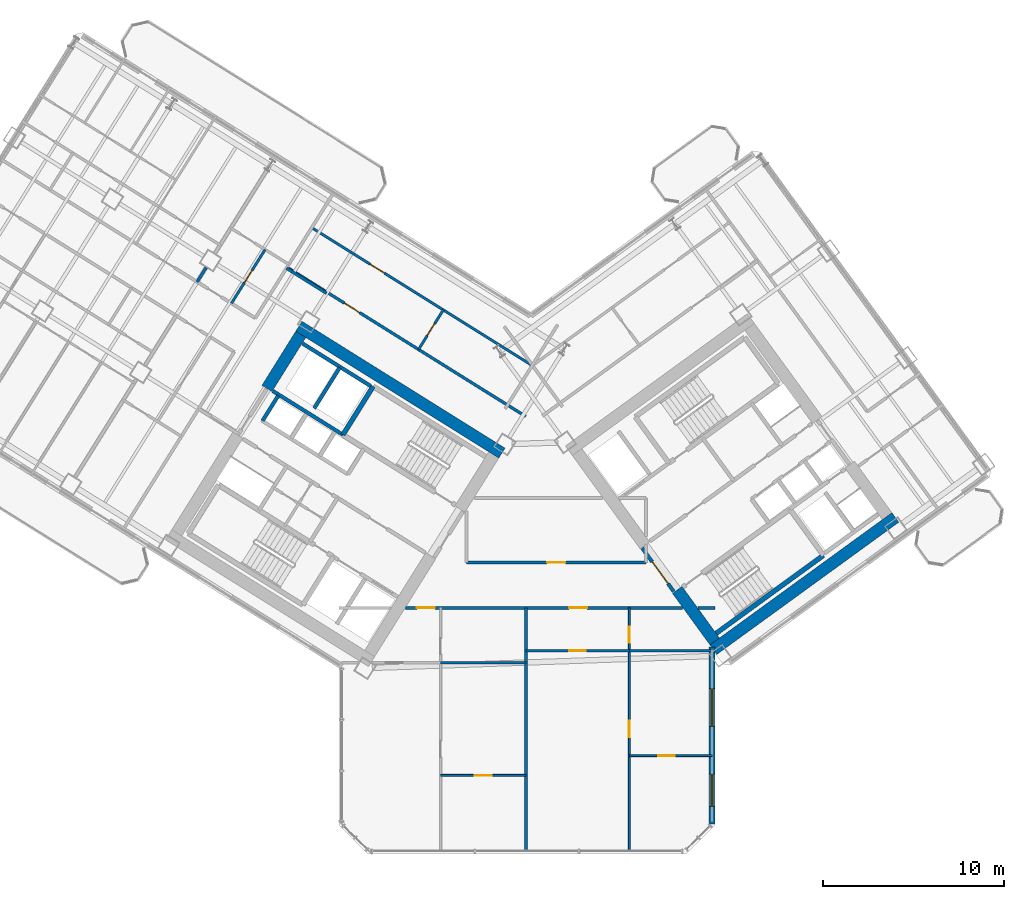
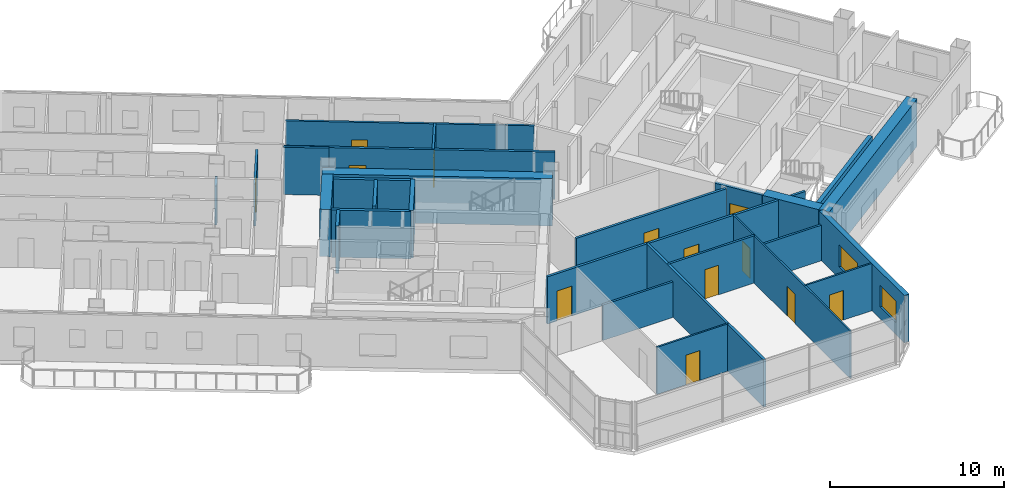
# One storey, part 13 of 22: 28 walls, 13 doors, 2 windows, 15 openings.
"""IFC4 building model written with IfcOpenShell, lengths in metres."""

from ifc_helpers import new_model, si_unit, direction, frame, frame_2d, origin, place, context, subcontext, project, spatial, rectangle, extrude, source, transform, mapped, material, layer, layer_set, type_object, element, fill, save


model = new_model("IFC4")

# Units and contexts
model_context = context("Model", 3, precision=1e-05, world=origin(), true_north=direction((0.0, 1.0)))
body_context = subcontext(model_context, "Body", "Model", "MODEL_VIEW")
ifc_project = project(units=[si_unit("LENGTHUNIT", "METRE"), si_unit("AREAUNIT", "SQUARE_METRE"), si_unit("VOLUMEUNIT", "CUBIC_METRE"), si_unit("PLANEANGLEUNIT", "RADIAN"), si_unit("MASSUNIT", "GRAM", prefix="KILO")], contexts=[model_context])

# Site, building, storey
site_placement = place(None, origin())
site = spatial("IfcSite", under=ifc_project, at=site_placement, CompositionType="ELEMENT")
building_placement = place(site_placement, origin())
building = spatial("IfcBuilding", under=site, at=building_placement, Name="Tlacorven Tower", CompositionType="ELEMENT")
storey_placement = place(building_placement, frame((0.0, 0.0, 97.199951171875)))
storey = spatial("IfcBuildingStorey", under=building, at=storey_placement, Name="L24", CompositionType="ELEMENT", Elevation=97.199951171875)

# Walls
ifc_material_1 = material(Name="Concrete C60/75", Category="concrete")
ifc_layer_1 = layer(ifc_material_1, 0.64990234375)
ifc_layer_set_1 = layer_set([ifc_layer_1], Name="Concrete C60/75")
wall_type_1 = type_object("IfcWallType", Name="WL-COR-650", PredefinedType="SHEAR", material=ifc_layer_set_1)
wall_1_placement = place(storey_placement, frame((40.615478515625, 23.9833984375, 0.0), z_axis=(0.0, 0.0, 1.0), x_axis=(-0.848045953968, 0.529922692436, 0.0)))
element("IfcWall", 1, at=wall_1_placement, inside=storey, type_object=wall_type_1, Name="L24 W core shear wall S1", PredefinedType="SHEAR", context=body_context, shape_type="SweptSolid", body=[
    extrude(rectangle(XDim=13.239990234375, YDim=0.64990234375, at=frame_2d((6.6201171875, 0.0))), origin(), (0.0, 0.0, 1.0), 3.320068359375),
])
wall_2_placement = place(storey_placement, frame((29.49072265625, 30.5517578125, 0.0), z_axis=(0.0, 0.0, 1.0), x_axis=(-0.529893103397, -0.8480644427, 0.0)))
element("IfcWall", 2, at=wall_2_placement, inside=storey, type_object=wall_type_1, Name="L24 W core end wall E2.1", PredefinedType="SHEAR", context=body_context, shape_type="SweptSolid", body=[
    extrude(rectangle(XDim=3.525146484375, YDim=0.64990234375, at=frame_2d((1.7626953125, 0.0))), origin(), (0.0, 0.0, 1.0), 3.320068359375),
])
wall_3_placement = place(storey_placement, frame((52.318359375, 13.1103515625, 0.0), z_axis=(0.0, 0.0, 1.0), x_axis=(0.809019445368, 0.587781878776, 0.0)))
element("IfcWall", 3, at=wall_3_placement, inside=storey, type_object=wall_type_1, Name="L24 E core shear wall S1", PredefinedType="SHEAR", context=body_context, shape_type="SweptSolid", body=[
    extrude(rectangle(XDim=12.43994140625, YDim=0.64990234375, at=frame_2d((6.219970703125, 0.0))), origin(), (0.0, 0.0, 1.0), 3.320068359375),
])
wall_4_placement = place(storey_placement, frame((52.390380859375, 13.564208984375, 0.0), z_axis=(0.0, 0.0, 1.0), x_axis=(-0.58779688989, 0.809008539037, 0.0)))
element("IfcWall", 4, at=wall_4_placement, inside=storey, type_object=wall_type_1, Name="L24 E core end wall E1.1", PredefinedType="SHEAR", context=body_context, shape_type="SweptSolid", body=[
    extrude(rectangle(XDim=3.525146484375, YDim=0.64990234375, at=frame_2d((1.7626953125, 0.0))), origin(), (0.0, 0.0, 1.0), 3.320068359375),
])
ifc_material_2 = material(Name="Gypsum plasterboard acoustic partition", Category="gypsum")
ifc_layer_2 = layer(ifc_material_2, 0.159912109375)
ifc_layer_set_2 = layer_set([ifc_layer_2], Name="Gypsum plasterboard acoustic partition")
wall_type_2 = type_object("IfcWallType", Name="WL-DEM-160", PredefinedType="PARTITIONING", material=ifc_layer_set_2)
wall_5_placement = place(storey_placement, frame((30.91357421875, 32.82861328125, 0.0), z_axis=(0.0, 0.0, 1.0), x_axis=(-0.848008813643, 0.529982124211, 0.0)))
element("IfcWall", 5, at=wall_5_placement, inside=storey, type_object=wall_type_2, Name="L24 partition 49", PredefinedType="PARTITIONING", context=body_context, shape_type="SweptSolid", body=[
    extrude(rectangle(XDim=2.610107421875, YDim=0.159912109375, at=frame_2d((1.30517578125, 0.0))), origin(), (0.0, 0.0, 1.0), 3.31005859375),
])
wall_6_placement = place(storey_placement, frame((24.255615234375, 34.2509765625, 0.0), z_axis=(0.0, 0.0, 1.0), x_axis=(-0.529952145338, -0.848027548876, 0.0)))
element("IfcWall", 6, at=wall_6_placement, inside=storey, type_object=wall_type_2, Name="L24 WS Demising Wall 1", PredefinedType="PARTITIONING", context=body_context, shape_type="SweptSolid", body=[
    extrude(rectangle(XDim=0.93798828125, YDim=0.159912109375, at=frame_2d((0.468994140625, 0.0))), origin(), (0.0, 0.0, 1.0), 2.7451171875),
])

# Wall, opening, door
wall_7_placement = place(storey_placement, frame((41.93603515625, 26.011962890625, 0.0), z_axis=(0.0, 0.0, 1.0), x_axis=(-0.848051154596, 0.529914369676, 0.0)))
wall_7 = element("IfcWall", 7, at=wall_7_placement, inside=storey, type_object=wall_type_2, Name="L24 partition 79", PredefinedType="PARTITIONING", context=body_context, shape_type="SweptSolid", body=[
    extrude(rectangle(XDim=15.56982421875, YDim=0.159912109375, at=frame_2d((7.784912109375, 0.0))), origin(), (0.0, 0.0, 1.0), 3.31005859375),
])
opening_1_placement = place(wall_7_placement, frame((10.830078125, 0.0, 0.0)))
opening_1 = element("IfcOpeningElement", 8, at=opening_1_placement, cuts=wall_7, Name="Opening D11", PredefinedType="OPENING", context=body_context, shape_type="SweptSolid", body=[
    extrude(rectangle(XDim=1.0, YDim=2.10009765625, at=frame_2d((0.5, 1.050048828125))), frame((0.0, 0.08984375, 0.0), z_axis=(0.0, -1.0, 0.0), x_axis=(1.0, 0.0, 0.0)), (0.0, 0.0, 1.0), 0.179931640625),
])
ifc_material_3 = material(Name="Fire-rated steel door assembly", Category="steel")
door_type_1 = type_object("IfcDoorType", Name="DR-FLT-FD60-1000", OperationType="NOTDEFINED", PredefinedType="DOOR", material=ifc_material_3)
shared_shape_1 = source(origin(), body_context, "Body", "SweptSolid", [
    extrude(rectangle(XDim=1.0, YDim=2.10009765625, at=frame_2d((0.5, 1.050048828125))), frame((0.0, 0.02490234375, 0.0), z_axis=(0.0, -1.0, 0.0), x_axis=(1.0, 0.0, 0.0)), (0.0, 0.0, 1.0), 0.050048828125),
])
door_1_placement = place(opening_1_placement, origin())
door_1 = element("IfcDoor", 9, at=door_1_placement, inside=storey, type_object=door_type_1, Name="L24 door 048", OperationType="SINGLE_SWING_RIGHT", OverallHeight=2.10009765625, OverallWidth=1.0, PredefinedType="DOOR", context=body_context, shape_type="MappedRepresentation", body=[
    mapped(shared_shape_1, transform((0.0, 0.0, 0.0), scale=1.0)),
])
fill(opening_1, door_1)

# Wall, openings, doors
wall_8_placement = place(storey_placement, frame((35.29638671875, 15.419921875, 0.0), z_axis=(0.0, 0.0, 1.0), x_axis=(1.0, 0.0, 0.0)))
wall_8 = element("IfcWall", 10, at=wall_8_placement, inside=storey, type_object=wall_type_2, Name="L24 Knuckle Corridor South Wall", PredefinedType="PARTITIONING", context=body_context, shape_type="SweptSolid", body=[
    extrude(rectangle(XDim=15.310546875, YDim=0.159912109375, at=frame_2d((7.6552734375, 0.0))), origin(), (0.0, 0.0, 1.0), 3.31005859375),
])
opening_2_placement = place(wall_8_placement, frame((0.61474609375, 0.0, 0.0)))
opening_2 = element("IfcOpeningElement", 11, at=opening_2_placement, cuts=wall_8, Name="Opening D11", PredefinedType="OPENING", context=body_context, shape_type="SweptSolid", body=[
    extrude(rectangle(XDim=1.0, YDim=2.10009765625, at=frame_2d((0.5, 1.050048828125))), frame((0.0, 0.08984375, 0.0), z_axis=(0.0, -1.0, 0.0), x_axis=(1.0, 0.0, 0.0)), (0.0, 0.0, 1.0), 0.179931640625),
])
opening_3_placement = place(wall_8_placement, frame((9.03515625, 0.0, 0.0)))
opening_3 = element("IfcOpeningElement", 12, at=opening_3_placement, cuts=wall_8, Name="Opening D11", PredefinedType="OPENING", context=body_context, shape_type="SweptSolid", body=[
    extrude(rectangle(XDim=1.0, YDim=2.10009765625, at=frame_2d((0.5, 1.050048828125))), frame((0.0, 0.08984375, 0.0), z_axis=(0.0, -1.0, 0.0), x_axis=(1.0, 0.0, 0.0)), (0.0, 0.0, 1.0), 0.179931640625),
])
door_2_placement = place(opening_2_placement, frame((1.0, 0.0, 0.0), z_axis=(0.0, 0.0, 1.0), x_axis=(-1.0, 0.0, 0.0)))
door_2 = element("IfcDoor", 13, at=door_2_placement, inside=storey, type_object=door_type_1, Name="L24 door 056", OperationType="SINGLE_SWING_RIGHT", OverallHeight=2.10009765625, OverallWidth=1.0, PredefinedType="DOOR", context=body_context, shape_type="MappedRepresentation", body=[
    mapped(shared_shape_1, transform((0.0, 0.0, 0.0), scale=1.0)),
])
fill(opening_2, door_2)
door_3_placement = place(opening_3_placement, frame((1.0, 0.0, 0.0), z_axis=(0.0, 0.0, 1.0), x_axis=(-1.0, 0.0, 0.0)))
door_3 = element("IfcDoor", 14, at=door_3_placement, inside=storey, type_object=door_type_1, Name="L24 door 061", OperationType="SINGLE_SWING_LEFT", OverallHeight=2.10009765625, OverallWidth=1.0, PredefinedType="DOOR", context=body_context, shape_type="MappedRepresentation", body=[
    mapped(shared_shape_1, transform((0.0, 0.0, 0.0), scale=1.0)),
])
fill(opening_3, door_3)

# Wall
wall_9_placement = place(storey_placement, frame((51.477294921875, 15.419921875, 0.0), z_axis=(0.0, 0.0, 1.0), x_axis=(1.0, 0.0, 0.0)))
element("IfcWall", 15, at=wall_9_placement, inside=storey, type_object=wall_type_2, Name="L24 Knuckle Corridor South Wall", PredefinedType="PARTITIONING", context=body_context, shape_type="SweptSolid", body=[
    extrude(rectangle(XDim=0.922607421875, YDim=0.159912109375, at=frame_2d((0.46142578125, 0.0))), origin(), (0.0, 0.0, 1.0), 3.31005859375),
])

# Wall, opening, door
wall_10_placement = place(storey_placement, frame((38.64990234375, 17.929931640625, 0.0), z_axis=(0.0, 0.0, 1.0), x_axis=(1.0, 0.0, 0.0)))
wall_10 = element("IfcWall", 16, at=wall_10_placement, inside=storey, type_object=wall_type_2, Name="L24 partition 85", PredefinedType="PARTITIONING", context=body_context, shape_type="SweptSolid", body=[
    extrude(rectangle(XDim=9.9501953125, YDim=0.159912109375, at=frame_2d((4.97509765625, 0.0))), origin(), (0.0, 0.0, 1.0), 3.31005859375),
])
opening_4_placement = place(wall_10_placement, frame((4.47509765625, 0.0, 0.0)))
opening_4 = element("IfcOpeningElement", 17, at=opening_4_placement, cuts=wall_10, Name="Opening D11", PredefinedType="OPENING", context=body_context, shape_type="SweptSolid", body=[
    extrude(rectangle(XDim=1.0, YDim=2.10009765625, at=frame_2d((0.5, 1.050048828125))), frame((0.0, 0.08984375, 0.0), z_axis=(0.0, -1.0, 0.0), x_axis=(1.0, 0.0, 0.0)), (0.0, 0.0, 1.0), 0.179931640625),
])
door_4_placement = place(opening_4_placement, origin())
door_4 = element("IfcDoor", 18, at=door_4_placement, inside=storey, type_object=door_type_1, Name="L24 door 051", OperationType="SINGLE_SWING_LEFT", OverallHeight=2.10009765625, OverallWidth=1.0, PredefinedType="DOOR", context=body_context, shape_type="MappedRepresentation", body=[
    mapped(shared_shape_1, transform((0.0, 0.0, 0.0), scale=1.0)),
])
fill(opening_4, door_4)

# Wall
wall_11_placement = place(storey_placement, frame((41.949951171875, 1.9599609375, 0.0), z_axis=(0.0, 0.0, 1.0), x_axis=(0.0, 1.0, 0.0)))
element("IfcWall", 19, at=wall_11_placement, inside=storey, type_object=wall_type_2, Name="L24 Knuckle Demising Wall 1", PredefinedType="PARTITIONING", context=body_context, shape_type="SweptSolid", body=[
    extrude(rectangle(XDim=13.4599609375, YDim=0.159912109375, at=frame_2d((6.72998046875, 0.0))), origin(), (0.0, 0.0, 1.0), 3.31005859375),
])

# Wall, openings, windows
ifc_material_4 = material(Name="Precast concrete C45/55", Category="concrete")
ifc_layer_3 = layer(ifc_material_4, 0.320068359375)
ifc_layer_set_3 = layer_set([ifc_layer_3], Name="Precast concrete C45/55")
wall_type_3 = type_object("IfcWallType", Name="WL-EXT-320", PredefinedType="STANDARD", material=ifc_layer_set_3)
wall_12_placement = place(storey_placement, frame((52.239990234375, 13.260986328125, 0.0), z_axis=(0.0, 0.0, 1.0), x_axis=(0.0, -1.0, 0.0)))
wall_12 = element("IfcWall", 20, at=wall_12_placement, inside=storey, type_object=wall_type_3, Name="L24 Masonry-Frame Recessed Facade Wall 7", PredefinedType="STANDARD", context=body_context, shape_type="SweptSolid", body=[
    extrude(rectangle(XDim=9.794677734375, YDim=0.320068359375, at=frame_2d((4.8974609375, 0.0))), origin(), (0.0, 0.0, 1.0), 3.320068359375),
])
opening_5_placement = place(wall_12_placement, frame((2.306884765625, 0.0, 0.800048828125)))
opening_5 = element("IfcOpeningElement", 21, at=opening_5_placement, cuts=wall_12, Name="Opening WN04", PredefinedType="OPENING", context=body_context, shape_type="SweptSolid", body=[
    extrude(rectangle(XDim=2.10009765625, YDim=1.550048828125, at=frame_2d((1.050048828125, 0.77490234375))), frame((0.0, 0.169921875, 0.0), z_axis=(0.0, -1.0, 0.0), x_axis=(1.0, 0.0, 0.0)), (0.0, 0.0, 1.0), 0.340087890625),
])
opening_6_placement = place(wall_12_placement, frame((7.0302734375, 0.0, 0.85009765625)))
opening_6 = element("IfcOpeningElement", 22, at=opening_6_placement, cuts=wall_12, Name="Opening WN01", PredefinedType="OPENING", context=body_context, shape_type="SweptSolid", body=[
    extrude(rectangle(XDim=1.800048828125, YDim=1.5, at=frame_2d((0.89990234375, 0.75))), frame((0.0, 0.169921875, 0.0), z_axis=(0.0, -1.0, 0.0), x_axis=(1.0, 0.0, 0.0)), (0.0, 0.0, 1.0), 0.340087890625),
])
ifc_material_5 = material(Name="Dark solar low-E double glazing in anodised aluminium frame", Category="aluminium")
window_type_1 = type_object("IfcWindowType", Name="WN-APT-2100X1750", PartitioningType="SINGLE_PANEL", PredefinedType="WINDOW", material=ifc_material_5)
shared_shape_2 = source(origin(), body_context, "Body", "SweptSolid", [
    extrude(rectangle(XDim=2.10009765625, YDim=1.550048828125, at=frame_2d((1.050048828125, 0.77490234375))), frame((0.0, 0.030029296875, 0.0), z_axis=(0.0, -1.0, 0.0), x_axis=(1.0, 0.0, 0.0)), (0.0, 0.0, 1.0), 0.06005859375),
])
window_1_placement = place(opening_5_placement, origin())
window_1 = element("IfcWindow", 23, at=window_1_placement, inside=storey, type_object=window_type_1, Name="L24 Recessed Masonry-Frame Window L24-07.1", OverallHeight=1.550048828125, OverallWidth=2.10009765625, PartitioningType="SINGLE_PANEL", PredefinedType="WINDOW", context=body_context, shape_type="MappedRepresentation", body=[
    mapped(shared_shape_2, transform((0.0, 0.0, 0.0), scale=1.0)),
])
fill(opening_5, window_1)
window_type_2 = type_object("IfcWindowType", Name="WN-APT-1800X1650", PartitioningType="SINGLE_PANEL", PredefinedType="WINDOW", material=ifc_material_5)
shared_shape_3 = source(origin(), body_context, "Body", "SweptSolid", [
    extrude(rectangle(XDim=1.800048828125, YDim=1.5, at=frame_2d((0.89990234375, 0.75))), frame((0.0, 0.030029296875, 0.0), z_axis=(0.0, -1.0, 0.0), x_axis=(1.0, 0.0, 0.0)), (0.0, 0.0, 1.0), 0.06005859375),
])
window_2_placement = place(opening_6_placement, origin())
window_2 = element("IfcWindow", 24, at=window_2_placement, inside=storey, type_object=window_type_2, Name="L24 Recessed Masonry-Frame Window L24-07.2", OverallHeight=1.5, OverallWidth=1.800048828125, PartitioningType="SINGLE_PANEL", PredefinedType="WINDOW", context=body_context, shape_type="MappedRepresentation", body=[
    mapped(shared_shape_3, transform((0.0, 0.0, 0.0), scale=1.0)),
])
fill(opening_6, window_2)

# Wall, opening, door
ifc_material_6 = material(Name="Gypsum plasterboard partition", Category="gypsum")
ifc_layer_4 = layer(ifc_material_6, 0.110107421875)
ifc_layer_set_4 = layer_set([ifc_layer_4], Name="Gypsum plasterboard partition")
wall_type_4 = type_object("IfcWallType", Name="WL-INT-110", PredefinedType="PARTITIONING", material=ifc_layer_set_4)
wall_13_placement = place(storey_placement, frame((37.221923828125, 6.14990234375, 0.0), z_axis=(0.0, 0.0, 1.0), x_axis=(1.0, 0.0, 0.0)))
wall_13 = element("IfcWall", 25, at=wall_13_placement, inside=storey, type_object=wall_type_4, Name="L24 partition 94", PredefinedType="PARTITIONING", context=body_context, shape_type="SweptSolid", body=[
    extrude(rectangle(XDim=4.72802734375, YDim=0.110107421875, at=frame_2d((2.364013671875, 0.0))), origin(), (0.0, 0.0, 1.0), 3.31005859375),
])
opening_7_placement = place(wall_13_placement, frame((1.904052734375, 0.0, 0.0)))
opening_7 = element("IfcOpeningElement", 26, at=opening_7_placement, cuts=wall_13, Name="Opening D12", PredefinedType="OPENING", context=body_context, shape_type="SweptSolid", body=[
    extrude(rectangle(XDim=0.919921875, YDim=2.080078125, at=frame_2d((0.4599609375, 1.0400390625))), frame((0.0, 0.06494140625, 0.0), z_axis=(0.0, -1.0, 0.0), x_axis=(1.0, 0.0, 0.0)), (0.0, 0.0, 1.0), 0.130126953125),
])
ifc_material_7 = material(Name="Powder-coated aluminium and timber door", Category="wood")
door_type_2 = type_object("IfcDoorType", Name="DR-INT-ROOM-0920", OperationType="NOTDEFINED", PredefinedType="DOOR", material=ifc_material_7)
shared_shape_4 = source(origin(), body_context, "Body", "SweptSolid", [
    extrude(rectangle(XDim=0.919921875, YDim=2.080078125, at=frame_2d((0.4599609375, 1.0400390625))), frame((0.0, 0.02490234375, 0.0), z_axis=(0.0, -1.0, 0.0), x_axis=(1.0, 0.0, 0.0)), (0.0, 0.0, 1.0), 0.050048828125),
])
door_5_placement = place(opening_7_placement, origin())
door_5 = element("IfcDoor", 27, at=door_5_placement, inside=storey, type_object=door_type_2, Name="L24 door 055", OperationType="SINGLE_SWING_LEFT", OverallHeight=2.080078125, OverallWidth=0.919921875, PredefinedType="DOOR", context=body_context, shape_type="MappedRepresentation", body=[
    mapped(shared_shape_4, transform((0.0, 0.0, 0.0), scale=1.0)),
])
fill(opening_7, door_5)

# Wall, openings, doors
wall_14_placement = place(storey_placement, frame((47.6630859375, 1.9599609375, 0.0), z_axis=(0.0, 0.0, 1.0), x_axis=(0.0, 1.0, 0.0)))
wall_14 = element("IfcWall", 28, at=wall_14_placement, inside=storey, type_object=wall_type_4, Name="L24 partition 95", PredefinedType="PARTITIONING", context=body_context, shape_type="SweptSolid", body=[
    extrude(rectangle(XDim=13.4599609375, YDim=0.110107421875, at=frame_2d((6.72998046875, 0.0))), origin(), (0.0, 0.0, 1.0), 3.31005859375),
])
opening_8_placement = place(wall_14_placement, frame((6.300048828125, 0.0, 0.0)))
opening_8 = element("IfcOpeningElement", 29, at=opening_8_placement, cuts=wall_14, Name="Opening D12", PredefinedType="OPENING", context=body_context, shape_type="SweptSolid", body=[
    extrude(rectangle(XDim=0.919921875, YDim=2.080078125, at=frame_2d((0.4599609375, 1.0400390625))), frame((0.0, 0.06494140625, 0.0), z_axis=(0.0, -1.0, 0.0), x_axis=(1.0, 0.0, 0.0)), (0.0, 0.0, 1.0), 0.130126953125),
])
opening_9_placement = place(wall_14_placement, frame((11.5400390625, 0.0, 0.0)))
opening_9 = element("IfcOpeningElement", 30, at=opening_9_placement, cuts=wall_14, Name="Opening D13", PredefinedType="OPENING", context=body_context, shape_type="SweptSolid", body=[
    extrude(rectangle(XDim=0.8798828125, YDim=2.080078125, at=frame_2d((0.43994140625, 1.0400390625))), frame((0.0, 0.06494140625, 0.0), z_axis=(0.0, -1.0, 0.0), x_axis=(1.0, 0.0, 0.0)), (0.0, 0.0, 1.0), 0.130126953125),
])
door_type_3 = type_object("IfcDoorType", Name="DR-INT-WET-0880", OperationType="NOTDEFINED", PredefinedType="DOOR", material=ifc_material_7)
shared_shape_5 = source(origin(), body_context, "Body", "SweptSolid", [
    extrude(rectangle(XDim=0.8798828125, YDim=2.080078125, at=frame_2d((0.43994140625, 1.0400390625))), frame((0.0, 0.02490234375, 0.0), z_axis=(0.0, -1.0, 0.0), x_axis=(1.0, 0.0, 0.0)), (0.0, 0.0, 1.0), 0.050048828125),
])
door_6_placement = place(opening_9_placement, origin())
door_6 = element("IfcDoor", 31, at=door_6_placement, inside=storey, type_object=door_type_3, Name="L24 door 063", OperationType="SINGLE_SWING_LEFT", OverallHeight=2.080078125, OverallWidth=0.8798828125, PredefinedType="DOOR", context=body_context, shape_type="MappedRepresentation", body=[
    mapped(shared_shape_5, transform((0.0, 0.0, 0.0), scale=1.0)),
])
fill(opening_9, door_6)
door_7_placement = place(opening_8_placement, origin())
door_7 = element("IfcDoor", 32, at=door_7_placement, inside=storey, type_object=door_type_2, Name="L24 door 059", OperationType="SINGLE_SWING_LEFT", OverallHeight=2.080078125, OverallWidth=0.919921875, PredefinedType="DOOR", context=body_context, shape_type="MappedRepresentation", body=[
    mapped(shared_shape_4, transform((0.0, 0.0, 0.0), scale=1.0)),
])
fill(opening_8, door_7)

# Wall, opening, door
wall_15_placement = place(storey_placement, frame((47.6630859375, 7.25, 0.0), z_axis=(0.0, 0.0, 1.0), x_axis=(1.0, 0.0, 0.0)))
wall_15 = element("IfcWall", 33, at=wall_15_placement, inside=storey, type_object=wall_type_4, Name="L24 partition 98", PredefinedType="PARTITIONING", context=body_context, shape_type="SweptSolid", body=[
    extrude(rectangle(XDim=4.596923828125, YDim=0.110107421875, at=frame_2d((2.29833984375, 0.0))), origin(), (0.0, 0.0, 1.0), 3.31005859375),
])
opening_10_placement = place(wall_15_placement, frame((1.6083984375, 0.0, 0.0)))
opening_10 = element("IfcOpeningElement", 34, at=opening_10_placement, cuts=wall_15, Name="Opening D12", PredefinedType="OPENING", context=body_context, shape_type="SweptSolid", body=[
    extrude(rectangle(XDim=0.919921875, YDim=2.080078125, at=frame_2d((0.4599609375, 1.0400390625))), frame((0.0, 0.06494140625, 0.0), z_axis=(0.0, -1.0, 0.0), x_axis=(1.0, 0.0, 0.0)), (0.0, 0.0, 1.0), 0.130126953125),
])
door_8_placement = place(opening_10_placement, origin())
door_8 = element("IfcDoor", 35, at=door_8_placement, inside=storey, type_object=door_type_2, Name="L24 door 060", OperationType="SINGLE_SWING_RIGHT", OverallHeight=2.080078125, OverallWidth=0.919921875, PredefinedType="DOOR", context=body_context, shape_type="MappedRepresentation", body=[
    mapped(shared_shape_4, transform((0.0, 0.0, 0.0), scale=1.0)),
])
fill(opening_10, door_8)

ifc_material_8 = material(Name="Moisture-resistant gypsum plumbing wall", Category="gypsum")
ifc_layer_5 = layer(ifc_material_8, 0.139892578125)
ifc_layer_set_5 = layer_set([ifc_layer_5], Name="Moisture-resistant gypsum plumbing wall")
wall_type_5 = type_object("IfcWallType", Name="WL-PLM-140", PredefinedType="PLUMBINGWALL", material=ifc_layer_set_5)
wall_16_placement = place(storey_placement, frame((27.518310546875, 35.2451171875, 0.0), z_axis=(0.0, 0.0, 1.0), x_axis=(-0.529948921118, -0.848029563757, 0.0)))
wall_16 = element("IfcWall", 36, at=wall_16_placement, inside=storey, type_object=wall_type_5, Name="L24 partition 70", PredefinedType="PLUMBINGWALL", context=body_context, shape_type="SweptSolid", body=[
    extrude(rectangle(XDim=3.510009765625, YDim=0.139892578125, at=frame_2d((1.7548828125, 0.0))), origin(), (0.0, 0.0, 1.0), 2.93505859375),
])
opening_11_placement = place(wall_16_placement, frame((1.364990234375, 0.0, 0.0)))
opening_11 = element("IfcOpeningElement", 37, at=opening_11_placement, cuts=wall_16, Name="Opening D22", PredefinedType="OPENING", context=body_context, shape_type="SweptSolid", body=[
    extrude(rectangle(XDim=0.780029296875, YDim=2.050048828125, at=frame_2d((0.39013671875, 1.02490234375))), frame((0.0, 0.080078125, 0.0), z_axis=(0.0, -1.0, 0.0), x_axis=(1.0, 0.0, 0.0)), (0.0, 0.0, 1.0), 0.159912109375),
])
door_type_4 = type_object("IfcDoorType", Name="DR-INT-WET-0780", OperationType="NOTDEFINED", PredefinedType="DOOR", material=ifc_material_7)
shared_shape_6 = source(origin(), body_context, "Body", "SweptSolid", [
    extrude(rectangle(XDim=0.780029296875, YDim=2.050048828125, at=frame_2d((0.39013671875, 1.02490234375))), frame((0.0, 0.02490234375, 0.0), z_axis=(0.0, -1.0, 0.0), x_axis=(1.0, 0.0, 0.0)), (0.0, 0.0, 1.0), 0.050048828125),
])
door_9_placement = place(opening_11_placement, origin())
door_9 = element("IfcDoor", 38, at=door_9_placement, inside=storey, type_object=door_type_4, Name="L24 door 038", OperationType="SINGLE_SWING_RIGHT", OverallHeight=2.050048828125, OverallWidth=0.780029296875, PredefinedType="DOOR", context=body_context, shape_type="MappedRepresentation", body=[
    mapped(shared_shape_6, transform((0.0, 0.0, 0.0), scale=1.0)),
])
fill(opening_11, door_9)

wall_17_placement = place(storey_placement, frame((42.226318359375, 28.872802734375, 0.0), z_axis=(0.0, 0.0, 1.0), x_axis=(-0.848049134363, 0.529917602752, 0.0)))
wall_17 = element("IfcWall", 39, at=wall_17_placement, inside=storey, type_object=wall_type_5, Name="L24 partition 81", PredefinedType="PLUMBINGWALL", context=body_context, shape_type="SweptSolid", body=[
    extrude(rectangle(XDim=14.300048828125, YDim=0.139892578125, at=frame_2d((7.14990234375, 0.0))), origin(), (0.0, 0.0, 1.0), 3.31005859375),
])
opening_12_placement = place(wall_17_placement, frame((9.570068359375, 0.0, 0.0)))
opening_12 = element("IfcOpeningElement", 40, at=opening_12_placement, cuts=wall_17, Name="Opening D12", PredefinedType="OPENING", context=body_context, shape_type="SweptSolid", body=[
    extrude(rectangle(XDim=0.919921875, YDim=2.080078125, at=frame_2d((0.4599609375, 1.0400390625))), frame((0.0, 0.080078125, 0.0), z_axis=(0.0, -1.0, 0.0), x_axis=(1.0, 0.0, 0.0)), (0.0, 0.0, 1.0), 0.159912109375),
])
door_10_placement = place(opening_12_placement, origin())
door_10 = element("IfcDoor", 41, at=door_10_placement, inside=storey, type_object=door_type_2, Name="L24 door 049", OperationType="SINGLE_SWING_LEFT", OverallHeight=2.080078125, OverallWidth=0.919921875, PredefinedType="DOOR", context=body_context, shape_type="MappedRepresentation", body=[
    mapped(shared_shape_4, transform((0.0, 0.0, 0.0), scale=1.0)),
])
fill(opening_12, door_10)

wall_18_placement = place(storey_placement, frame((37.37548828125, 31.904052734375, 0.0), z_axis=(0.0, 0.0, 1.0), x_axis=(-0.529913878929, -0.848051461244, 0.0)))
wall_18 = element("IfcWall", 42, at=wall_18_placement, inside=storey, type_object=wall_type_5, Name="L24 partition 82", PredefinedType="PLUMBINGWALL", context=body_context, shape_type="SweptSolid", body=[
    extrude(rectangle(XDim=2.580078125, YDim=0.139892578125, at=frame_2d((1.2900390625, 0.0))), origin(), (0.0, 0.0, 1.0), 3.31005859375),
])
opening_13_placement = place(wall_18_placement, frame((0.89990234375, 0.0, 0.0)))
opening_13 = element("IfcOpeningElement", 43, at=opening_13_placement, cuts=wall_18, Name="Opening D22", PredefinedType="OPENING", context=body_context, shape_type="SweptSolid", body=[
    extrude(rectangle(XDim=0.780029296875, YDim=2.050048828125, at=frame_2d((0.39013671875, 1.02490234375))), frame((0.0, 0.080078125, 0.0), z_axis=(0.0, -1.0, 0.0), x_axis=(1.0, 0.0, 0.0)), (0.0, 0.0, 1.0), 0.159912109375),
])
door_11_placement = place(opening_13_placement, origin())
door_11 = element("IfcDoor", 44, at=door_11_placement, inside=storey, type_object=door_type_4, Name="L24 door 050", OperationType="SINGLE_SWING_RIGHT", OverallHeight=2.050048828125, OverallWidth=0.780029296875, PredefinedType="DOOR", context=body_context, shape_type="MappedRepresentation", body=[
    mapped(shared_shape_6, transform((0.0, 0.0, 0.0), scale=1.0)),
])
fill(opening_13, door_11)

# Wall
wall_19_placement = place(storey_placement, frame((37.221923828125, 12.389892578125, 0.0), z_axis=(0.0, 0.0, 1.0), x_axis=(1.0, 0.0, 0.0)))
element("IfcWall", 45, at=wall_19_placement, inside=storey, type_object=wall_type_5, Name="L24 partition 93", PredefinedType="PLUMBINGWALL", context=body_context, shape_type="SweptSolid", body=[
    extrude(rectangle(XDim=4.72802734375, YDim=0.139892578125, at=frame_2d((2.364013671875, 0.0))), origin(), (0.0, 0.0, 1.0), 2.4951171875),
])

# Wall, opening, door
wall_20_placement = place(storey_placement, frame((41.949951171875, 13.0400390625, 0.0), z_axis=(0.0, 0.0, 1.0), x_axis=(1.0, 0.0, 0.0)))
wall_20 = element("IfcWall", 46, at=wall_20_placement, inside=storey, type_object=wall_type_5, Name="L24 partition 96", PredefinedType="PLUMBINGWALL", context=body_context, shape_type="SweptSolid", body=[
    extrude(rectangle(XDim=5.713134765625, YDim=0.139892578125, at=frame_2d((2.8564453125, 0.0))), origin(), (0.0, 0.0, 1.0), 3.31005859375),
])
opening_14_placement = place(wall_20_placement, frame((2.396484375, 0.0, 0.0)))
opening_14 = element("IfcOpeningElement", 47, at=opening_14_placement, cuts=wall_20, Name="Opening D12", PredefinedType="OPENING", context=body_context, shape_type="SweptSolid", body=[
    extrude(rectangle(XDim=0.919921875, YDim=2.080078125, at=frame_2d((0.4599609375, 1.0400390625))), frame((0.0, 0.080078125, 0.0), z_axis=(0.0, -1.0, 0.0), x_axis=(1.0, 0.0, 0.0)), (0.0, 0.0, 1.0), 0.159912109375),
])
door_12_placement = place(opening_14_placement, frame((0.919921875, 0.0, 0.0), z_axis=(0.0, 0.0, 1.0), x_axis=(-1.0, 0.0, 0.0)))
door_12 = element("IfcDoor", 48, at=door_12_placement, inside=storey, type_object=door_type_2, Name="L24 door 062", OperationType="SINGLE_SWING_RIGHT", OverallHeight=2.080078125, OverallWidth=0.919921875, PredefinedType="DOOR", context=body_context, shape_type="MappedRepresentation", body=[
    mapped(shared_shape_4, transform((0.0, 0.0, 0.0), scale=1.0)),
])
fill(opening_14, door_12)

# Walls
wall_21_placement = place(storey_placement, frame((47.6630859375, 13.0400390625, 0.0), z_axis=(0.0, 0.0, 1.0), x_axis=(1.0, 0.0, 0.0)))
element("IfcWall", 49, at=wall_21_placement, inside=storey, type_object=wall_type_5, Name="L24 partition 97", PredefinedType="PLUMBINGWALL", context=body_context, shape_type="SweptSolid", body=[
    extrude(rectangle(XDim=4.596923828125, YDim=0.139892578125, at=frame_2d((2.29833984375, 0.0))), origin(), (0.0, 0.0, 1.0), 2.4951171875),
])
ifc_material_9 = material(Name="Concrete C40/50", Category="concrete")
ifc_layer_6 = layer(ifc_material_9, 0.199951171875)
ifc_layer_set_6 = layer_set([ifc_layer_6], Name="Concrete C40/50")
wall_type_6 = type_object("IfcWallType", Name="WL-SHF-200", PredefinedType="STANDARD", material=ifc_layer_set_6)
wall_22_placement = place(storey_placement, frame((31.82177734375, 24.99755859375, 0.0), z_axis=(0.0, 0.0, 1.0), x_axis=(-0.848058348634, 0.529902856485, 0.0)))
element("IfcWall", 50, at=wall_22_placement, inside=storey, type_object=wall_type_6, Name="L24 Core W South Lift Shaft Wall", PredefinedType="STANDARD", context=body_context, shape_type="SweptSolid", body=[
    extrude(rectangle(XDim=4.568115234375, YDim=0.199951171875, at=frame_2d((2.2841796875, 0.0))), origin(), (0.0, 0.0, 1.0), 3.31005859375),
])
wall_23_placement = place(storey_placement, frame((28.250244140625, 27.170166015625, 0.0), z_axis=(0.0, 0.0, 1.0), x_axis=(-0.529905827651, -0.848056492117, 0.0)))
element("IfcWall", 51, at=wall_23_placement, inside=storey, type_object=wall_type_6, Name="L24 partition 13", PredefinedType="STANDARD", context=body_context, shape_type="SweptSolid", body=[
    extrude(rectangle(XDim=1.64990234375, YDim=0.199951171875, at=frame_2d((0.824951171875, 0.0))), origin(), (0.0, 0.0, 1.0), 3.31005859375),
])
wall_24_placement = place(storey_placement, frame((31.645263671875, 28.716064453125, 0.0), z_axis=(0.0, 0.0, 1.0), x_axis=(-0.52986693015, -0.848080795876, 0.0)))
element("IfcWall", 52, at=wall_24_placement, inside=storey, type_object=wall_type_6, Name="L24 partition 15", PredefinedType="STANDARD", context=body_context, shape_type="SweptSolid", body=[
    extrude(rectangle(XDim=2.659912109375, YDim=0.199951171875, at=frame_2d((1.330078125, 0.0))), origin(), (0.0, 0.0, 1.0), 3.31005859375),
])
wall_25_placement = place(storey_placement, frame((33.362548828125, 27.690185546875, 0.0), z_axis=(0.0, 0.0, 1.0), x_axis=(-0.848053806312, 0.529910125964, 0.0)))
element("IfcWall", 53, at=wall_25_placement, inside=storey, type_object=wall_type_6, Name="L24 partition 17", PredefinedType="STANDARD", context=body_context, shape_type="SweptSolid", body=[
    extrude(rectangle(XDim=4.44775390625, YDim=0.199951171875, at=frame_2d((2.223876953125, 0.0))), origin(), (0.0, 0.0, 1.0), 3.31005859375),
])

# Wall, opening, door
wall_26_placement = place(storey_placement, frame((50.119140625, 16.3330078125, 0.0), z_axis=(0.0, 0.0, 1.0), x_axis=(-0.587749856981, 0.809042709391, 0.0)))
wall_26 = element("IfcWall", 54, at=wall_26_placement, inside=storey, type_object=wall_type_6, Name="L24 partition 89", PredefinedType="STANDARD", context=body_context, shape_type="SweptSolid", body=[
    extrude(rectangle(XDim=2.9599609375, YDim=0.199951171875, at=frame_2d((1.47998046875, 0.0))), origin(), (0.0, 0.0, 1.0), 3.31005859375),
])
opening_15_placement = place(wall_26_placement, frame((0.530029296875, 0.0, 0.0)))
opening_15 = element("IfcOpeningElement", 55, at=opening_15_placement, cuts=wall_26, Name="Opening D10", PredefinedType="OPENING", context=body_context, shape_type="SweptSolid", body=[
    extrude(rectangle(XDim=1.5, YDim=2.14990234375, at=frame_2d((0.75, 1.074951171875))), frame((0.0, 0.10986328125, 0.0), z_axis=(0.0, -1.0, 0.0), x_axis=(1.0, 0.0, 0.0)), (0.0, 0.0, 1.0), 0.219970703125),
])
door_type_5 = type_object("IfcDoorType", Name="DR-LOB-FD60-1500", OperationType="DOUBLE_DOOR_SINGLE_SWING", PredefinedType="DOOR", material=ifc_material_3)
shared_shape_7 = source(origin(), body_context, "Body", "SweptSolid", [
    extrude(rectangle(XDim=1.5, YDim=2.14990234375, at=frame_2d((0.75, 1.074951171875))), frame((0.0, 0.02490234375, 0.0), z_axis=(0.0, -1.0, 0.0), x_axis=(1.0, 0.0, 0.0)), (0.0, 0.0, 1.0), 0.050048828125),
])
door_13_placement = place(opening_15_placement, frame((1.5, 0.0, 0.0), z_axis=(0.0, 0.0, 1.0), x_axis=(-1.0, 0.0, 0.0)))
door_13 = element("IfcDoor", 56, at=door_13_placement, inside=storey, type_object=door_type_5, Name="L24 door 053", OperationType="DOUBLE_DOOR_SINGLE_SWING", OverallHeight=2.14990234375, OverallWidth=1.5, PredefinedType="DOOR", context=body_context, shape_type="MappedRepresentation", body=[
    mapped(shared_shape_7, transform((0.0, 0.0, 0.0), scale=1.0)),
])
fill(opening_15, door_13)

# Walls
ifc_material_10 = material(Name="Concrete C50/60", Category="concrete")
ifc_layer_7 = layer(ifc_material_10, 0.260009765625)
ifc_layer_set_7 = layer_set([ifc_layer_7], Name="Concrete C50/60")
wall_type_7 = type_object("IfcWallType", Name="WL-STW-260", PredefinedType="SHEAR", material=ifc_layer_set_7)
wall_27_placement = place(storey_placement, frame((33.496337890625, 27.677490234375, 0.0), z_axis=(0.0, 0.0, 1.0), x_axis=(-0.529908658664, -0.84805472316, 0.0)))
element("IfcWall", 57, at=wall_27_placement, inside=storey, type_object=wall_type_7, Name="L24 Stair W2 East Shear Wall", PredefinedType="SHEAR", context=body_context, shape_type="SweptSolid", body=[
    extrude(rectangle(XDim=3.16015625, YDim=0.260009765625, at=frame_2d((1.580078125, 0.0))), origin(), (0.0, 0.0, 1.0), 3.320068359375),
])
wall_28_placement = place(storey_placement, frame((52.47216796875, 14.01318359375, 0.0), z_axis=(0.0, 0.0, 1.0), x_axis=(0.809028366311, 0.587769599847, 0.0)))
element("IfcWall", 58, at=wall_28_placement, inside=storey, type_object=wall_type_7, Name="L24 Stair E2 Far Shear Wall", PredefinedType="SHEAR", context=body_context, shape_type="SweptSolid", body=[
    extrude(rectangle(XDim=7.330078125, YDim=0.260009765625, at=frame_2d((3.6650390625, 0.0))), origin(), (0.0, 0.0, 1.0), 3.320068359375),
])

save(model, "model.ifc")
